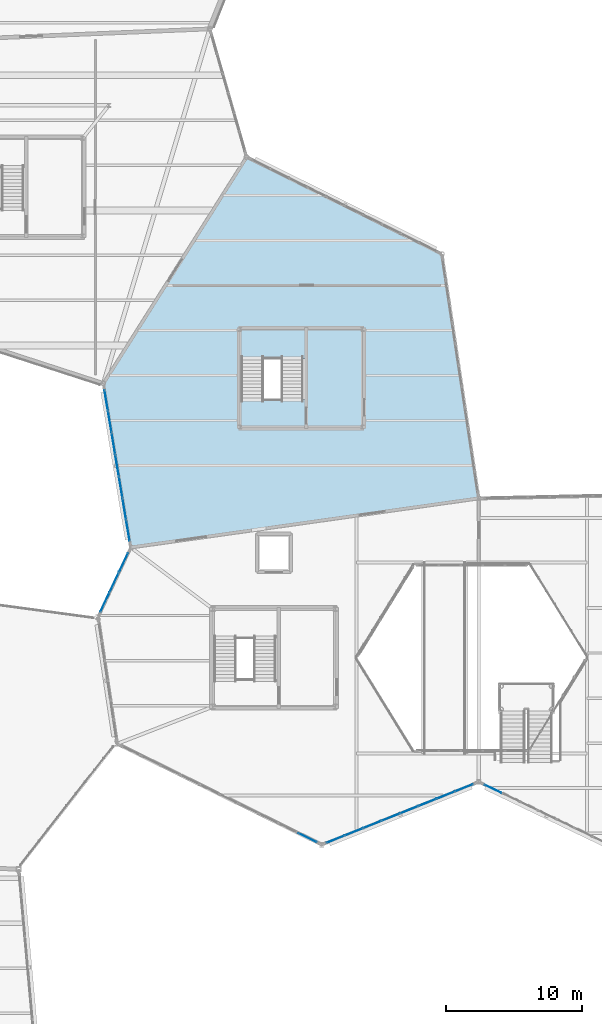
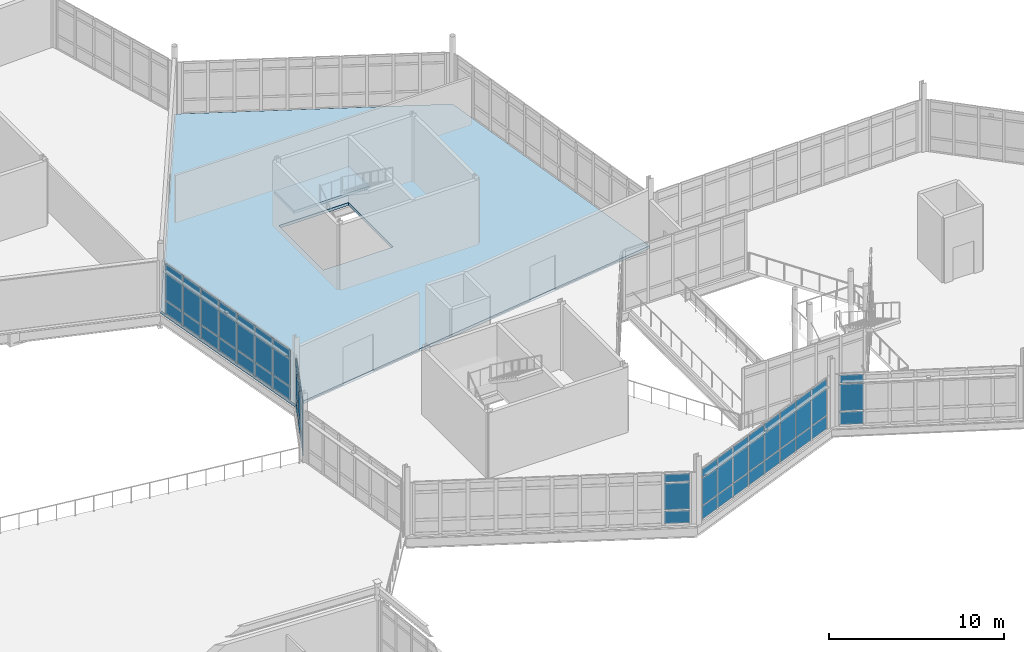
# One storey, part 70 of 114: 60 plates, 2 slabs, 6 elements without a shape of their own.
"""IFC4 building model written with IfcOpenShell, lengths in metres."""

from ifc_helpers import new_model, si_unit, direction, frame, origin, origin_2d, place, context, subcontext, project, spatial, polyline, rectangle, outline, extrude, material, layer, layer_set, type_object, element, aggregate, save


model = new_model("IFC4")

# Units and contexts
model_context = context("Model", 3, precision=1e-05, world=origin(), true_north=direction((0.0, 1.0)))
body_context = subcontext(model_context, "Body", "Model", "MODEL_VIEW")
ifc_project = project(units=[si_unit("LENGTHUNIT", "METRE"), si_unit("AREAUNIT", "SQUARE_METRE"), si_unit("VOLUMEUNIT", "CUBIC_METRE"), si_unit("PLANEANGLEUNIT", "RADIAN"), si_unit("MASSUNIT", "GRAM", prefix="KILO")], contexts=[model_context])

# Site, building, storey
site_placement = place(None, origin())
site = spatial("IfcSite", under=ifc_project, at=site_placement, CompositionType="ELEMENT")
building_placement = place(site_placement, origin())
building = spatial("IfcBuilding", under=site, at=building_placement, Name="Tameran Prism Museum", CompositionType="ELEMENT")
storey_placement = place(building_placement, frame((0.0, 0.0, 10.199951171875)))
storey = spatial("IfcBuildingStorey", under=building, at=storey_placement, Name="L02", CompositionType="ELEMENT", Elevation=10.199951171875)

# Curtain wall, plates
ifc_material_1 = material(Name="Anodised Aluminium 6063-T6 and Cyclone Solar Glass", Category="aluminium")
curtain_wall_type_1 = type_object("IfcCurtainWallType", Name="CW-FAC-1163x362", PredefinedType="USERDEFINED", material=ifc_material_1)
curtain_wall_1_placement = place(storey_placement, origin())
curtain_wall_1 = element("IfcCurtainWall", 1, at=curtain_wall_1_placement, inside=storey, type_object=curtain_wall_type_1, Name="Unitised Curtain Wall CW-107", ObjectType="UNITISED CURTAIN WALL", PredefinedType="USERDEFINED")
ifc_material_2 = material(Name="Low-E Laminated Solar Glass", Category="glass")
ifc_layer_1 = layer(ifc_material_2, 0.028076171875)
ifc_layer_set_1 = layer_set([ifc_layer_1])
plate_type_1 = type_object("IfcPlateType", Name="CW-PNL-G28", PredefinedType="CURTAIN_PANEL", material=ifc_layer_set_1)
plate_1_placement = place(storey_placement, frame((76.42919921875, 26.97216796875, 0.06494140625), z_axis=(0.0, 0.0, 1.0), x_axis=(-0.928464826032, -0.371420337114, 0.0)))
plate_1 = element("IfcPlate", 2, at=plate_1_placement, type_object=plate_type_1, Name="CW-107 panel 1.1", PredefinedType="CURTAIN_PANEL", context=body_context, shape_type="SweptSolid", body=[
    extrude(rectangle(XDim=1.355712890625, YDim=0.028076171875, at=origin_2d()), origin(), (0.0, 0.0, 1.0), 0.902587890625),
])
plate_2_placement = place(storey_placement, frame((76.42919921875, 26.97216796875, 1.032470703125), z_axis=(0.0, 0.0, 1.0), x_axis=(-0.928464826032, -0.371420337114, 0.0)))
plate_2 = element("IfcPlate", 3, at=plate_2_placement, type_object=plate_type_1, Name="CW-107 panel 1.2", PredefinedType="CURTAIN_PANEL", context=body_context, shape_type="SweptSolid", body=[
    extrude(rectangle(XDim=1.355712890625, YDim=0.028076171875, at=origin_2d()), origin(), (0.0, 0.0, 1.0), 1.875),
])
plate_3_placement = place(storey_placement, frame((76.42919921875, 26.97216796875, 2.97265625), z_axis=(0.0, 0.0, 1.0), x_axis=(-0.928464826032, -0.371420337114, 0.0)))
plate_3 = element("IfcPlate", 4, at=plate_3_placement, type_object=plate_type_1, Name="CW-107 panel 1.3", PredefinedType="CURTAIN_PANEL", context=body_context, shape_type="SweptSolid", body=[
    extrude(rectangle(XDim=1.355712890625, YDim=0.028076171875, at=origin_2d()), origin(), (0.0, 0.0, 1.0), 0.58251953125),
])
plate_4_placement = place(storey_placement, frame((75.09521484375, 26.4384765625, 0.06494140625), z_axis=(0.0, 0.0, 1.0), x_axis=(-0.928464826032, -0.371420337114, 0.0)))
plate_4 = element("IfcPlate", 5, at=plate_4_placement, type_object=plate_type_1, Name="CW-107 panel 2.1", PredefinedType="CURTAIN_PANEL", context=body_context, shape_type="SweptSolid", body=[
    extrude(rectangle(XDim=1.38818359375, YDim=0.028076171875, at=origin_2d()), origin(), (0.0, 0.0, 1.0), 0.902587890625),
])
plate_5_placement = place(storey_placement, frame((75.09521484375, 26.4384765625, 1.032470703125), z_axis=(0.0, 0.0, 1.0), x_axis=(-0.928464826032, -0.371420337114, 0.0)))
plate_5 = element("IfcPlate", 6, at=plate_5_placement, type_object=plate_type_1, Name="CW-107 panel 2.2", PredefinedType="CURTAIN_PANEL", context=body_context, shape_type="SweptSolid", body=[
    extrude(rectangle(XDim=1.38818359375, YDim=0.028076171875, at=origin_2d()), origin(), (0.0, 0.0, 1.0), 1.875),
])
plate_6_placement = place(storey_placement, frame((75.09521484375, 26.4384765625, 2.97265625), z_axis=(0.0, 0.0, 1.0), x_axis=(-0.928464826032, -0.371420337114, 0.0)))
plate_6 = element("IfcPlate", 7, at=plate_6_placement, type_object=plate_type_1, Name="CW-107 panel 2.3", PredefinedType="CURTAIN_PANEL", context=body_context, shape_type="SweptSolid", body=[
    extrude(rectangle(XDim=1.38818359375, YDim=0.028076171875, at=origin_2d()), origin(), (0.0, 0.0, 1.0), 0.58251953125),
])
plate_7_placement = place(storey_placement, frame((73.745849609375, 25.898681640625, 0.06494140625), z_axis=(0.0, 0.0, 1.0), x_axis=(-0.928464826032, -0.371420337114, 0.0)))
plate_7 = element("IfcPlate", 8, at=plate_7_placement, type_object=plate_type_1, Name="CW-107 panel 3.1", PredefinedType="CURTAIN_PANEL", context=body_context, shape_type="SweptSolid", body=[
    extrude(rectangle(XDim=1.38818359375, YDim=0.028076171875, at=origin_2d()), origin(), (0.0, 0.0, 1.0), 0.902587890625),
])
plate_8_placement = place(storey_placement, frame((73.745849609375, 25.898681640625, 1.032470703125), z_axis=(0.0, 0.0, 1.0), x_axis=(-0.928464826032, -0.371420337114, 0.0)))
plate_8 = element("IfcPlate", 9, at=plate_8_placement, type_object=plate_type_1, Name="CW-107 panel 3.2", PredefinedType="CURTAIN_PANEL", context=body_context, shape_type="SweptSolid", body=[
    extrude(rectangle(XDim=1.38818359375, YDim=0.028076171875, at=origin_2d()), origin(), (0.0, 0.0, 1.0), 1.875),
])
plate_9_placement = place(storey_placement, frame((73.745849609375, 25.898681640625, 2.97265625), z_axis=(0.0, 0.0, 1.0), x_axis=(-0.928464826032, -0.371420337114, 0.0)))
plate_9 = element("IfcPlate", 10, at=plate_9_placement, type_object=plate_type_1, Name="CW-107 panel 3.3", PredefinedType="CURTAIN_PANEL", context=body_context, shape_type="SweptSolid", body=[
    extrude(rectangle(XDim=1.38818359375, YDim=0.028076171875, at=origin_2d()), origin(), (0.0, 0.0, 1.0), 0.58251953125),
])
plate_10_placement = place(storey_placement, frame((72.396728515625, 25.35888671875, 0.06494140625), z_axis=(0.0, 0.0, 1.0), x_axis=(-0.928464826032, -0.371420337114, 0.0)))
plate_10 = element("IfcPlate", 11, at=plate_10_placement, type_object=plate_type_1, Name="CW-107 panel 4.1", PredefinedType="CURTAIN_PANEL", context=body_context, shape_type="SweptSolid", body=[
    extrude(rectangle(XDim=1.38818359375, YDim=0.028076171875, at=origin_2d()), origin(), (0.0, 0.0, 1.0), 0.902587890625),
])
plate_11_placement = place(storey_placement, frame((72.396728515625, 25.35888671875, 1.032470703125), z_axis=(0.0, 0.0, 1.0), x_axis=(-0.928464826032, -0.371420337114, 0.0)))
plate_11 = element("IfcPlate", 12, at=plate_11_placement, type_object=plate_type_1, Name="CW-107 panel 4.2", PredefinedType="CURTAIN_PANEL", context=body_context, shape_type="SweptSolid", body=[
    extrude(rectangle(XDim=1.38818359375, YDim=0.028076171875, at=origin_2d()), origin(), (0.0, 0.0, 1.0), 1.875),
])
plate_12_placement = place(storey_placement, frame((72.396728515625, 25.35888671875, 2.97265625), z_axis=(0.0, 0.0, 1.0), x_axis=(-0.928464826032, -0.371420337114, 0.0)))
plate_12 = element("IfcPlate", 13, at=plate_12_placement, type_object=plate_type_1, Name="CW-107 panel 4.3", PredefinedType="CURTAIN_PANEL", context=body_context, shape_type="SweptSolid", body=[
    extrude(rectangle(XDim=1.38818359375, YDim=0.028076171875, at=origin_2d()), origin(), (0.0, 0.0, 1.0), 0.58251953125),
])
plate_13_placement = place(storey_placement, frame((71.04736328125, 24.819091796875, 0.06494140625), z_axis=(0.0, 0.0, 1.0), x_axis=(-0.928464826032, -0.371420337114, 0.0)))
plate_13 = element("IfcPlate", 14, at=plate_13_placement, type_object=plate_type_1, Name="CW-107 panel 5.1", PredefinedType="CURTAIN_PANEL", context=body_context, shape_type="SweptSolid", body=[
    extrude(rectangle(XDim=1.38818359375, YDim=0.028076171875, at=origin_2d()), origin(), (0.0, 0.0, 1.0), 0.902587890625),
])
plate_14_placement = place(storey_placement, frame((71.04736328125, 24.819091796875, 1.032470703125), z_axis=(0.0, 0.0, 1.0), x_axis=(-0.928464826032, -0.371420337114, 0.0)))
plate_14 = element("IfcPlate", 15, at=plate_14_placement, type_object=plate_type_1, Name="CW-107 panel 5.2", PredefinedType="CURTAIN_PANEL", context=body_context, shape_type="SweptSolid", body=[
    extrude(rectangle(XDim=1.38818359375, YDim=0.028076171875, at=origin_2d()), origin(), (0.0, 0.0, 1.0), 1.875),
])
plate_15_placement = place(storey_placement, frame((71.04736328125, 24.819091796875, 2.97265625), z_axis=(0.0, 0.0, 1.0), x_axis=(-0.928464826032, -0.371420337114, 0.0)))
plate_15 = element("IfcPlate", 16, at=plate_15_placement, type_object=plate_type_1, Name="CW-107 panel 5.3", PredefinedType="CURTAIN_PANEL", context=body_context, shape_type="SweptSolid", body=[
    extrude(rectangle(XDim=1.38818359375, YDim=0.028076171875, at=origin_2d()), origin(), (0.0, 0.0, 1.0), 0.58251953125),
])
plate_16_placement = place(storey_placement, frame((69.6982421875, 24.279296875, 0.06494140625), z_axis=(0.0, 0.0, 1.0), x_axis=(-0.928464826032, -0.371420337114, 0.0)))
plate_16 = element("IfcPlate", 17, at=plate_16_placement, type_object=plate_type_1, Name="CW-107 panel 6.1", PredefinedType="CURTAIN_PANEL", context=body_context, shape_type="SweptSolid", body=[
    extrude(rectangle(XDim=1.38818359375, YDim=0.028076171875, at=origin_2d()), origin(), (0.0, 0.0, 1.0), 0.902587890625),
])
plate_17_placement = place(storey_placement, frame((69.6982421875, 24.279296875, 1.032470703125), z_axis=(0.0, 0.0, 1.0), x_axis=(-0.928464826032, -0.371420337114, 0.0)))
plate_17 = element("IfcPlate", 18, at=plate_17_placement, type_object=plate_type_1, Name="CW-107 panel 6.2", PredefinedType="CURTAIN_PANEL", context=body_context, shape_type="SweptSolid", body=[
    extrude(rectangle(XDim=1.38818359375, YDim=0.028076171875, at=origin_2d()), origin(), (0.0, 0.0, 1.0), 1.875),
])
plate_18_placement = place(storey_placement, frame((69.6982421875, 24.279296875, 2.97265625), z_axis=(0.0, 0.0, 1.0), x_axis=(-0.928464826032, -0.371420337114, 0.0)))
plate_18 = element("IfcPlate", 19, at=plate_18_placement, type_object=plate_type_1, Name="CW-107 panel 6.3", PredefinedType="CURTAIN_PANEL", context=body_context, shape_type="SweptSolid", body=[
    extrude(rectangle(XDim=1.38818359375, YDim=0.028076171875, at=origin_2d()), origin(), (0.0, 0.0, 1.0), 0.58251953125),
])
plate_19_placement = place(storey_placement, frame((68.348876953125, 23.73974609375, 0.06494140625), z_axis=(0.0, 0.0, 1.0), x_axis=(-0.928464826032, -0.371420337114, 0.0)))
plate_19 = element("IfcPlate", 20, at=plate_19_placement, type_object=plate_type_1, Name="CW-107 panel 7.1", PredefinedType="CURTAIN_PANEL", context=body_context, shape_type="SweptSolid", body=[
    extrude(rectangle(XDim=1.38818359375, YDim=0.028076171875, at=origin_2d()), origin(), (0.0, 0.0, 1.0), 0.902587890625),
])
plate_20_placement = place(storey_placement, frame((68.348876953125, 23.73974609375, 1.032470703125), z_axis=(0.0, 0.0, 1.0), x_axis=(-0.928464826032, -0.371420337114, 0.0)))
plate_20 = element("IfcPlate", 21, at=plate_20_placement, type_object=plate_type_1, Name="CW-107 panel 7.2", PredefinedType="CURTAIN_PANEL", context=body_context, shape_type="SweptSolid", body=[
    extrude(rectangle(XDim=1.38818359375, YDim=0.028076171875, at=origin_2d()), origin(), (0.0, 0.0, 1.0), 1.875),
])
plate_21_placement = place(storey_placement, frame((68.348876953125, 23.73974609375, 2.97265625), z_axis=(0.0, 0.0, 1.0), x_axis=(-0.928464826032, -0.371420337114, 0.0)))
plate_21 = element("IfcPlate", 22, at=plate_21_placement, type_object=plate_type_1, Name="CW-107 panel 7.3", PredefinedType="CURTAIN_PANEL", context=body_context, shape_type="SweptSolid", body=[
    extrude(rectangle(XDim=1.38818359375, YDim=0.028076171875, at=origin_2d()), origin(), (0.0, 0.0, 1.0), 0.58251953125),
])
plate_22_placement = place(storey_placement, frame((67.0146484375, 23.205810546875, 0.06494140625), z_axis=(0.0, 0.0, 1.0), x_axis=(-0.928464826032, -0.371420337114, 0.0)))
plate_22 = element("IfcPlate", 23, at=plate_22_placement, type_object=plate_type_1, Name="CW-107 panel 8.1", PredefinedType="CURTAIN_PANEL", context=body_context, shape_type="SweptSolid", body=[
    extrude(rectangle(XDim=1.355712890625, YDim=0.028076171875, at=origin_2d()), origin(), (0.0, 0.0, 1.0), 0.902587890625),
])
plate_23_placement = place(storey_placement, frame((67.0146484375, 23.205810546875, 1.032470703125), z_axis=(0.0, 0.0, 1.0), x_axis=(-0.928464826032, -0.371420337114, 0.0)))
plate_23 = element("IfcPlate", 24, at=plate_23_placement, type_object=plate_type_1, Name="CW-107 panel 8.2", PredefinedType="CURTAIN_PANEL", context=body_context, shape_type="SweptSolid", body=[
    extrude(rectangle(XDim=1.355712890625, YDim=0.028076171875, at=origin_2d()), origin(), (0.0, 0.0, 1.0), 1.875),
])
plate_24_placement = place(storey_placement, frame((67.0146484375, 23.205810546875, 2.97265625), z_axis=(0.0, 0.0, 1.0), x_axis=(-0.928464826032, -0.371420337114, 0.0)))
plate_24 = element("IfcPlate", 25, at=plate_24_placement, type_object=plate_type_1, Name="CW-107 panel 8.3", PredefinedType="CURTAIN_PANEL", context=body_context, shape_type="SweptSolid", body=[
    extrude(rectangle(XDim=1.355712890625, YDim=0.028076171875, at=origin_2d()), origin(), (0.0, 0.0, 1.0), 0.58251953125),
])
aggregate(curtain_wall_1, [plate_1, plate_2, plate_3, plate_4, plate_5, plate_6, plate_7, plate_8, plate_9, plate_10, plate_11, plate_12, plate_13, plate_14, plate_15, plate_16, plate_17, plate_18, plate_19, plate_20, plate_21, plate_22, plate_23, plate_24])

ifc_material_3 = material(Name="Anodised Aluminium 6063-T6 and Cyclone Solar Glass", Category="aluminium")
curtain_wall_type_2 = type_object("IfcCurtainWallType", Name="CW-FAC-1603x362", PredefinedType="USERDEFINED", material=ifc_material_3)
curtain_wall_2_placement = place(storey_placement, origin())
curtain_wall_2 = element("IfcCurtainWall", 26, at=curtain_wall_2_placement, inside=storey, type_object=curtain_wall_type_2, Name="Unitised Curtain Wall CW-106", ObjectType="UNITISED CURTAIN WALL", PredefinedType="USERDEFINED")
ifc_material_4 = material(Name="Cyclone Laminated Solar Glass", Category="glass")
ifc_layer_2 = layer(ifc_material_4, 0.031982421875)
ifc_layer_set_2 = layer_set([ifc_layer_2])
plate_type_2 = type_object("IfcPlateType", Name="CW-PNL-G32", PredefinedType="CURTAIN_PANEL", material=ifc_layer_set_2)
plate_25_placement = place(storey_placement, frame((64.949462890625, 23.318359375, 0.080078125), z_axis=(0.0, 0.0, 1.0), x_axis=(-0.896810506275, 0.44241486846, 0.0)))
plate_25 = element("IfcPlate", 27, at=plate_25_placement, type_object=plate_type_2, Name="CW-106 panel 1.1", PredefinedType="CURTAIN_PANEL", context=body_context, shape_type="SweptSolid", body=[
    extrude(rectangle(XDim=1.482666015625, YDim=0.031982421875, at=origin_2d()), origin(), (0.0, 0.0, 1.0), 0.8798828125),
])
plate_26_placement = place(storey_placement, frame((64.949462890625, 23.318359375, 1.0400390625), z_axis=(0.0, 0.0, 1.0), x_axis=(-0.896810506275, 0.44241486846, 0.0)))
plate_26 = element("IfcPlate", 28, at=plate_26_placement, type_object=plate_type_2, Name="CW-106 panel 1.2", PredefinedType="CURTAIN_PANEL", context=body_context, shape_type="SweptSolid", body=[
    extrude(rectangle(XDim=1.482666015625, YDim=0.031982421875, at=origin_2d()), origin(), (0.0, 0.0, 1.0), 1.860107421875),
])
plate_27_placement = place(storey_placement, frame((64.949462890625, 23.318359375, 2.97998046875), z_axis=(0.0, 0.0, 1.0), x_axis=(-0.896810506275, 0.44241486846, 0.0)))
plate_27 = element("IfcPlate", 29, at=plate_27_placement, type_object=plate_type_2, Name="CW-106 panel 1.3", PredefinedType="CURTAIN_PANEL", context=body_context, shape_type="SweptSolid", body=[
    extrude(rectangle(XDim=1.482666015625, YDim=0.031982421875, at=origin_2d()), origin(), (0.0, 0.0, 1.0), 0.56005859375),
])
aggregate(curtain_wall_2, [plate_25, plate_26, plate_27])

ifc_material_5 = material(Name="Anodised Aluminium 6063-T6 and Cyclone Solar Glass", Category="aluminium")
curtain_wall_type_3 = type_object("IfcCurtainWallType", Name="CW-FAC-488x362", PredefinedType="USERDEFINED", material=ifc_material_5)
curtain_wall_3_placement = place(storey_placement, origin())
curtain_wall_3 = element("IfcCurtainWall", 30, at=curtain_wall_3_placement, inside=storey, type_object=curtain_wall_type_3, Name="Unitised Curtain Wall CW-108", ObjectType="UNITISED CURTAIN WALL", PredefinedType="USERDEFINED")
plate_28_placement = place(storey_placement, frame((50.1025390625, 40.568115234375, 0.070068359375), z_axis=(0.0, 0.0, 1.0), x_axis=(0.425757529364, 0.904837292661, 0.0)))
plate_28 = element("IfcPlate", 31, at=plate_28_placement, type_object=plate_type_2, Name="CW-108 panel 1.1", PredefinedType="CURTAIN_PANEL", context=body_context, shape_type="SweptSolid", body=[
    extrude(rectangle(XDim=1.520263671875, YDim=0.031982421875, at=origin_2d()), origin(), (0.0, 0.0, 1.0), 0.89501953125),
])
plate_29_placement = place(storey_placement, frame((50.1025390625, 40.568115234375, 1.034912109375), z_axis=(0.0, 0.0, 1.0), x_axis=(0.425757529364, 0.904837292661, 0.0)))
plate_29 = element("IfcPlate", 32, at=plate_29_placement, type_object=plate_type_2, Name="CW-108 panel 1.2", PredefinedType="CURTAIN_PANEL", context=body_context, shape_type="SweptSolid", body=[
    extrude(rectangle(XDim=1.520263671875, YDim=0.031982421875, at=origin_2d()), origin(), (0.0, 0.0, 1.0), 1.8701171875),
])
plate_30_placement = place(storey_placement, frame((50.1025390625, 40.568115234375, 2.97509765625), z_axis=(0.0, 0.0, 1.0), x_axis=(0.425757529364, 0.904837292661, 0.0)))
plate_30 = element("IfcPlate", 33, at=plate_30_placement, type_object=plate_type_2, Name="CW-108 panel 1.3", PredefinedType="CURTAIN_PANEL", context=body_context, shape_type="SweptSolid", body=[
    extrude(rectangle(XDim=1.520263671875, YDim=0.031982421875, at=origin_2d()), origin(), (0.0, 0.0, 1.0), 0.574951171875),
])
plate_31_placement = place(storey_placement, frame((50.787109375, 42.02294921875, 0.070068359375), z_axis=(0.0, 0.0, 1.0), x_axis=(0.425757529364, 0.904837292661, 0.0)))
plate_31 = element("IfcPlate", 34, at=plate_31_placement, type_object=plate_type_2, Name="CW-108 panel 2.1", PredefinedType="CURTAIN_PANEL", context=body_context, shape_type="SweptSolid", body=[
    extrude(rectangle(XDim=1.555419921875, YDim=0.031982421875, at=origin_2d()), origin(), (0.0, 0.0, 1.0), 0.89501953125),
])
plate_32_placement = place(storey_placement, frame((50.787109375, 42.02294921875, 1.034912109375), z_axis=(0.0, 0.0, 1.0), x_axis=(0.425757529364, 0.904837292661, 0.0)))
plate_32 = element("IfcPlate", 35, at=plate_32_placement, type_object=plate_type_2, Name="CW-108 panel 2.2", PredefinedType="CURTAIN_PANEL", context=body_context, shape_type="SweptSolid", body=[
    extrude(rectangle(XDim=1.555419921875, YDim=0.031982421875, at=origin_2d()), origin(), (0.0, 0.0, 1.0), 1.8701171875),
])
plate_33_placement = place(storey_placement, frame((50.787109375, 42.02294921875, 2.97509765625), z_axis=(0.0, 0.0, 1.0), x_axis=(0.425757529364, 0.904837292661, 0.0)))
plate_33 = element("IfcPlate", 36, at=plate_33_placement, type_object=plate_type_2, Name="CW-108 panel 2.3", PredefinedType="CURTAIN_PANEL", context=body_context, shape_type="SweptSolid", body=[
    extrude(rectangle(XDim=1.555419921875, YDim=0.031982421875, at=origin_2d()), origin(), (0.0, 0.0, 1.0), 0.574951171875),
])
plate_34_placement = place(storey_placement, frame((51.471435546875, 43.477783203125, 0.070068359375), z_axis=(0.0, 0.0, 1.0), x_axis=(0.425757529364, 0.904837292661, 0.0)))
plate_34 = element("IfcPlate", 37, at=plate_34_placement, type_object=plate_type_2, Name="CW-108 panel 3.1", PredefinedType="CURTAIN_PANEL", context=body_context, shape_type="SweptSolid", body=[
    extrude(rectangle(XDim=1.520263671875, YDim=0.031982421875, at=origin_2d()), origin(), (0.0, 0.0, 1.0), 0.89501953125),
])
plate_35_placement = place(storey_placement, frame((51.471435546875, 43.477783203125, 1.034912109375), z_axis=(0.0, 0.0, 1.0), x_axis=(0.425757529364, 0.904837292661, 0.0)))
plate_35 = element("IfcPlate", 38, at=plate_35_placement, type_object=plate_type_2, Name="CW-108 panel 3.2", PredefinedType="CURTAIN_PANEL", context=body_context, shape_type="SweptSolid", body=[
    extrude(rectangle(XDim=1.520263671875, YDim=0.031982421875, at=origin_2d()), origin(), (0.0, 0.0, 1.0), 1.8701171875),
])
plate_36_placement = place(storey_placement, frame((51.471435546875, 43.477783203125, 2.97509765625), z_axis=(0.0, 0.0, 1.0), x_axis=(0.425757529364, 0.904837292661, 0.0)))
plate_36 = element("IfcPlate", 39, at=plate_36_placement, type_object=plate_type_2, Name="CW-108 panel 3.3", PredefinedType="CURTAIN_PANEL", context=body_context, shape_type="SweptSolid", body=[
    extrude(rectangle(XDim=1.520263671875, YDim=0.031982421875, at=origin_2d()), origin(), (0.0, 0.0, 1.0), 0.574951171875),
])
aggregate(curtain_wall_3, [plate_28, plate_29, plate_30, plate_31, plate_32, plate_33, plate_34, plate_35, plate_36])

ifc_material_6 = material(Name="Anodised Aluminium 6063-T6 and Cyclone Solar Glass", Category="aluminium")
curtain_wall_type_4 = type_object("IfcCurtainWallType", Name="CW-FAC-1033x362", PredefinedType="USERDEFINED", material=ifc_material_6)
curtain_wall_4_placement = place(storey_placement, origin())
curtain_wall_4 = element("IfcCurtainWall", 40, at=curtain_wall_4_placement, inside=storey, type_object=curtain_wall_type_4, Name="Unitised Curtain Wall CW-109", ObjectType="UNITISED CURTAIN WALL", PredefinedType="USERDEFINED")
plate_37_placement = place(storey_placement, frame((78.55224609375, 26.8955078125, 0.0751953125), z_axis=(0.0, 0.0, 1.0), x_axis=(-0.901474721245, 0.432831753637, 0.0)))
plate_37 = element("IfcPlate", 41, at=plate_37_placement, type_object=plate_type_2, Name="CW-109 panel 7.1", PredefinedType="CURTAIN_PANEL", context=body_context, shape_type="SweptSolid", body=[
    extrude(rectangle(XDim=1.363525390625, YDim=0.031982421875, at=origin_2d()), origin(), (0.0, 0.0, 1.0), 0.887451171875),
])
plate_38_placement = place(storey_placement, frame((78.55224609375, 26.8955078125, 1.03759765625), z_axis=(0.0, 0.0, 1.0), x_axis=(-0.901474721245, 0.432831753637, 0.0)))
plate_38 = element("IfcPlate", 42, at=plate_38_placement, type_object=plate_type_2, Name="CW-109 panel 7.2", PredefinedType="CURTAIN_PANEL", context=body_context, shape_type="SweptSolid", body=[
    extrude(rectangle(XDim=1.363525390625, YDim=0.031982421875, at=origin_2d()), origin(), (0.0, 0.0, 1.0), 1.864990234375),
])
plate_39_placement = place(storey_placement, frame((78.55224609375, 26.8955078125, 2.9775390625), z_axis=(0.0, 0.0, 1.0), x_axis=(-0.901474721245, 0.432831753637, 0.0)))
plate_39 = element("IfcPlate", 43, at=plate_39_placement, type_object=plate_type_2, Name="CW-109 panel 7.3", PredefinedType="CURTAIN_PANEL", context=body_context, shape_type="SweptSolid", body=[
    extrude(rectangle(XDim=1.363525390625, YDim=0.031982421875, at=origin_2d()), origin(), (0.0, 0.0, 1.0), 0.5673828125),
])
aggregate(curtain_wall_4, [plate_37, plate_38, plate_39])

ifc_material_7 = material(Name="Anodised Aluminium 6063-T6 and Cyclone Solar Glass", Category="aluminium")
curtain_wall_type_5 = type_object("IfcCurtainWallType", Name="CW-FAC-1135x362", PredefinedType="USERDEFINED", material=ifc_material_7)
curtain_wall_5_placement = place(storey_placement, origin())
curtain_wall_5 = element("IfcCurtainWall", 44, at=curtain_wall_5_placement, inside=storey, type_object=curtain_wall_type_5, Name="Unitised Curtain Wall CW-113", ObjectType="UNITISED CURTAIN WALL", PredefinedType="USERDEFINED")
plate_40_placement = place(storey_placement, frame((51.7958984375, 45.822021484375, 0.0751953125), z_axis=(0.0, 0.0, 1.0), x_axis=(-0.164284648199, 0.986412973539, 0.0)))
plate_40 = element("IfcPlate", 45, at=plate_40_placement, type_object=plate_type_2, Name="CW-113 panel 1.1", PredefinedType="CURTAIN_PANEL", context=body_context, shape_type="SweptSolid", body=[
    extrude(rectangle(XDim=1.50830078125, YDim=0.031982421875, at=origin_2d()), origin(), (0.0, 0.0, 1.0), 0.887451171875),
])
plate_41_placement = place(storey_placement, frame((51.7958984375, 45.822021484375, 1.03759765625), z_axis=(0.0, 0.0, 1.0), x_axis=(-0.164284648199, 0.986412973539, 0.0)))
plate_41 = element("IfcPlate", 46, at=plate_41_placement, type_object=plate_type_2, Name="CW-113 panel 1.2", PredefinedType="CURTAIN_PANEL", context=body_context, shape_type="SweptSolid", body=[
    extrude(rectangle(XDim=1.50830078125, YDim=0.031982421875, at=origin_2d()), origin(), (0.0, 0.0, 1.0), 1.864990234375),
])
plate_42_placement = place(storey_placement, frame((51.7958984375, 45.822021484375, 2.9775390625), z_axis=(0.0, 0.0, 1.0), x_axis=(-0.164284648199, 0.986412973539, 0.0)))
plate_42 = element("IfcPlate", 47, at=plate_42_placement, type_object=plate_type_2, Name="CW-113 panel 1.3", PredefinedType="CURTAIN_PANEL", context=body_context, shape_type="SweptSolid", body=[
    extrude(rectangle(XDim=1.50830078125, YDim=0.031982421875, at=origin_2d()), origin(), (0.0, 0.0, 1.0), 0.5673828125),
])
plate_43_placement = place(storey_placement, frame((51.532470703125, 47.40234375, 0.0751953125), z_axis=(0.0, 0.0, 1.0), x_axis=(-0.164284648199, 0.986412973539, 0.0)))
plate_43 = element("IfcPlate", 48, at=plate_43_placement, type_object=plate_type_2, Name="CW-113 panel 2.1", PredefinedType="CURTAIN_PANEL", context=body_context, shape_type="SweptSolid", body=[
    extrude(rectangle(XDim=1.5458984375, YDim=0.031982421875, at=origin_2d()), origin(), (0.0, 0.0, 1.0), 0.887451171875),
])
plate_44_placement = place(storey_placement, frame((51.532470703125, 47.40234375, 1.03759765625), z_axis=(0.0, 0.0, 1.0), x_axis=(-0.164284648199, 0.986412973539, 0.0)))
plate_44 = element("IfcPlate", 49, at=plate_44_placement, type_object=plate_type_2, Name="CW-113 panel 2.2", PredefinedType="CURTAIN_PANEL", context=body_context, shape_type="SweptSolid", body=[
    extrude(rectangle(XDim=1.5458984375, YDim=0.031982421875, at=origin_2d()), origin(), (0.0, 0.0, 1.0), 1.864990234375),
])
plate_45_placement = place(storey_placement, frame((51.532470703125, 47.40234375, 2.9775390625), z_axis=(0.0, 0.0, 1.0), x_axis=(-0.164284648199, 0.986412973539, 0.0)))
plate_45 = element("IfcPlate", 50, at=plate_45_placement, type_object=plate_type_2, Name="CW-113 panel 2.3", PredefinedType="CURTAIN_PANEL", context=body_context, shape_type="SweptSolid", body=[
    extrude(rectangle(XDim=1.5458984375, YDim=0.031982421875, at=origin_2d()), origin(), (0.0, 0.0, 1.0), 0.5673828125),
])
plate_46_placement = place(storey_placement, frame((51.266357421875, 49.001220703125, 0.0751953125), z_axis=(0.0, 0.0, 1.0), x_axis=(-0.164284648199, 0.986412973539, 0.0)))
plate_46 = element("IfcPlate", 51, at=plate_46_placement, type_object=plate_type_2, Name="CW-113 panel 3.1", PredefinedType="CURTAIN_PANEL", context=body_context, shape_type="SweptSolid", body=[
    extrude(rectangle(XDim=1.5458984375, YDim=0.031982421875, at=origin_2d()), origin(), (0.0, 0.0, 1.0), 0.887451171875),
])
plate_47_placement = place(storey_placement, frame((51.266357421875, 49.001220703125, 1.03759765625), z_axis=(0.0, 0.0, 1.0), x_axis=(-0.164284648199, 0.986412973539, 0.0)))
plate_47 = element("IfcPlate", 52, at=plate_47_placement, type_object=plate_type_2, Name="CW-113 panel 3.2", PredefinedType="CURTAIN_PANEL", context=body_context, shape_type="SweptSolid", body=[
    extrude(rectangle(XDim=1.5458984375, YDim=0.031982421875, at=origin_2d()), origin(), (0.0, 0.0, 1.0), 1.864990234375),
])
plate_48_placement = place(storey_placement, frame((51.266357421875, 49.001220703125, 2.9775390625), z_axis=(0.0, 0.0, 1.0), x_axis=(-0.164284648199, 0.986412973539, 0.0)))
plate_48 = element("IfcPlate", 53, at=plate_48_placement, type_object=plate_type_2, Name="CW-113 panel 3.3", PredefinedType="CURTAIN_PANEL", context=body_context, shape_type="SweptSolid", body=[
    extrude(rectangle(XDim=1.5458984375, YDim=0.031982421875, at=origin_2d()), origin(), (0.0, 0.0, 1.0), 0.5673828125),
])
plate_49_placement = place(storey_placement, frame((51.0, 50.60009765625, 0.0751953125), z_axis=(0.0, 0.0, 1.0), x_axis=(-0.164284648199, 0.986412973539, 0.0)))
plate_49 = element("IfcPlate", 54, at=plate_49_placement, type_object=plate_type_2, Name="CW-113 panel 4.1", PredefinedType="CURTAIN_PANEL", context=body_context, shape_type="SweptSolid", body=[
    extrude(rectangle(XDim=1.5458984375, YDim=0.031982421875, at=origin_2d()), origin(), (0.0, 0.0, 1.0), 0.887451171875),
])
plate_50_placement = place(storey_placement, frame((51.0, 50.60009765625, 1.03759765625), z_axis=(0.0, 0.0, 1.0), x_axis=(-0.164284648199, 0.986412973539, 0.0)))
plate_50 = element("IfcPlate", 55, at=plate_50_placement, type_object=plate_type_2, Name="CW-113 panel 4.2", PredefinedType="CURTAIN_PANEL", context=body_context, shape_type="SweptSolid", body=[
    extrude(rectangle(XDim=1.5458984375, YDim=0.031982421875, at=origin_2d()), origin(), (0.0, 0.0, 1.0), 1.864990234375),
])
plate_51_placement = place(storey_placement, frame((51.0, 50.60009765625, 2.9775390625), z_axis=(0.0, 0.0, 1.0), x_axis=(-0.164284648199, 0.986412973539, 0.0)))
plate_51 = element("IfcPlate", 56, at=plate_51_placement, type_object=plate_type_2, Name="CW-113 panel 4.3", PredefinedType="CURTAIN_PANEL", context=body_context, shape_type="SweptSolid", body=[
    extrude(rectangle(XDim=1.5458984375, YDim=0.031982421875, at=origin_2d()), origin(), (0.0, 0.0, 1.0), 0.5673828125),
])
plate_52_placement = place(storey_placement, frame((50.733642578125, 52.198974609375, 0.0751953125), z_axis=(0.0, 0.0, 1.0), x_axis=(-0.164284648199, 0.986412973539, 0.0)))
plate_52 = element("IfcPlate", 57, at=plate_52_placement, type_object=plate_type_2, Name="CW-113 panel 5.1", PredefinedType="CURTAIN_PANEL", context=body_context, shape_type="SweptSolid", body=[
    extrude(rectangle(XDim=1.5458984375, YDim=0.031982421875, at=origin_2d()), origin(), (0.0, 0.0, 1.0), 0.887451171875),
])
plate_53_placement = place(storey_placement, frame((50.733642578125, 52.198974609375, 1.03759765625), z_axis=(0.0, 0.0, 1.0), x_axis=(-0.164284648199, 0.986412973539, 0.0)))
plate_53 = element("IfcPlate", 58, at=plate_53_placement, type_object=plate_type_2, Name="CW-113 panel 5.2", PredefinedType="CURTAIN_PANEL", context=body_context, shape_type="SweptSolid", body=[
    extrude(rectangle(XDim=1.5458984375, YDim=0.031982421875, at=origin_2d()), origin(), (0.0, 0.0, 1.0), 1.864990234375),
])
plate_54_placement = place(storey_placement, frame((50.733642578125, 52.198974609375, 2.9775390625), z_axis=(0.0, 0.0, 1.0), x_axis=(-0.164284648199, 0.986412973539, 0.0)))
plate_54 = element("IfcPlate", 59, at=plate_54_placement, type_object=plate_type_2, Name="CW-113 panel 5.3", PredefinedType="CURTAIN_PANEL", context=body_context, shape_type="SweptSolid", body=[
    extrude(rectangle(XDim=1.5458984375, YDim=0.031982421875, at=origin_2d()), origin(), (0.0, 0.0, 1.0), 0.5673828125),
])
plate_55_placement = place(storey_placement, frame((50.467529296875, 53.797607421875, 0.0751953125), z_axis=(0.0, 0.0, 1.0), x_axis=(-0.164284648199, 0.986412973539, 0.0)))
plate_55 = element("IfcPlate", 60, at=plate_55_placement, type_object=plate_type_2, Name="CW-113 panel 6.1", PredefinedType="CURTAIN_PANEL", context=body_context, shape_type="SweptSolid", body=[
    extrude(rectangle(XDim=1.5458984375, YDim=0.031982421875, at=origin_2d()), origin(), (0.0, 0.0, 1.0), 0.887451171875),
])
plate_56_placement = place(storey_placement, frame((50.467529296875, 53.797607421875, 1.03759765625), z_axis=(0.0, 0.0, 1.0), x_axis=(-0.164284648199, 0.986412973539, 0.0)))
plate_56 = element("IfcPlate", 61, at=plate_56_placement, type_object=plate_type_2, Name="CW-113 panel 6.2", PredefinedType="CURTAIN_PANEL", context=body_context, shape_type="SweptSolid", body=[
    extrude(rectangle(XDim=1.5458984375, YDim=0.031982421875, at=origin_2d()), origin(), (0.0, 0.0, 1.0), 1.864990234375),
])
plate_57_placement = place(storey_placement, frame((50.467529296875, 53.797607421875, 2.9775390625), z_axis=(0.0, 0.0, 1.0), x_axis=(-0.164284648199, 0.986412973539, 0.0)))
plate_57 = element("IfcPlate", 62, at=plate_57_placement, type_object=plate_type_2, Name="CW-113 panel 6.3", PredefinedType="CURTAIN_PANEL", context=body_context, shape_type="SweptSolid", body=[
    extrude(rectangle(XDim=1.5458984375, YDim=0.031982421875, at=origin_2d()), origin(), (0.0, 0.0, 1.0), 0.5673828125),
])
plate_58_placement = place(storey_placement, frame((50.2041015625, 55.378173828125, 0.0751953125), z_axis=(0.0, 0.0, 1.0), x_axis=(-0.164284648199, 0.986412973539, 0.0)))
plate_58 = element("IfcPlate", 63, at=plate_58_placement, type_object=plate_type_2, Name="CW-113 panel 7.1", PredefinedType="CURTAIN_PANEL", context=body_context, shape_type="SweptSolid", body=[
    extrude(rectangle(XDim=1.50830078125, YDim=0.031982421875, at=origin_2d()), origin(), (0.0, 0.0, 1.0), 0.887451171875),
])
plate_59_placement = place(storey_placement, frame((50.2041015625, 55.378173828125, 1.03759765625), z_axis=(0.0, 0.0, 1.0), x_axis=(-0.164284648199, 0.986412973539, 0.0)))
plate_59 = element("IfcPlate", 64, at=plate_59_placement, type_object=plate_type_2, Name="CW-113 panel 7.2", PredefinedType="CURTAIN_PANEL", context=body_context, shape_type="SweptSolid", body=[
    extrude(rectangle(XDim=1.50830078125, YDim=0.031982421875, at=origin_2d()), origin(), (0.0, 0.0, 1.0), 1.864990234375),
])
plate_60_placement = place(storey_placement, frame((50.2041015625, 55.378173828125, 2.9775390625), z_axis=(0.0, 0.0, 1.0), x_axis=(-0.164284648199, 0.986412973539, 0.0)))
plate_60 = element("IfcPlate", 65, at=plate_60_placement, type_object=plate_type_2, Name="CW-113 panel 7.3", PredefinedType="CURTAIN_PANEL", context=body_context, shape_type="SweptSolid", body=[
    extrude(rectangle(XDim=1.50830078125, YDim=0.031982421875, at=origin_2d()), origin(), (0.0, 0.0, 1.0), 0.5673828125),
])
aggregate(curtain_wall_5, [plate_40, plate_41, plate_42, plate_43, plate_44, plate_45, plate_46, plate_47, plate_48, plate_49, plate_50, plate_51, plate_52, plate_53, plate_54, plate_55, plate_56, plate_57, plate_58, plate_59, plate_60])

# Slab
ifc_material_8 = material(Name="Concrete N32 (32 MPa)", Category="concrete")
ifc_layer_3 = layer(ifc_material_8, 0.199951171875)
ifc_layer_set_3 = layer_set([ifc_layer_3])
slab_type_1 = type_object("IfcSlabType", Name="SL-FLR-200", PredefinedType="FLOOR", material=ifc_layer_set_3)
slab_1_placement = place(storey_placement, frame((0.0, 0.0, -0.199951171875)))
element("IfcSlab", 66, at=slab_1_placement, inside=storey, type_object=slab_type_1, Name="Floor Slab FS-P07-L02", PredefinedType="FLOOR", context=body_context, shape_type="SweptSolid", body=[
    extrude(outline(polyline([(60.5, 73.199951171875), (74.800048828125, 66.10009765625), (77.5, 48.199951171875), (52.0, 44.60009765625), (50.0, 56.60009765625), (60.5, 73.199951171875)]), holes=[polyline([(64.719970703125, 60.550048828125), (60.10009765625, 60.550048828125), (60.10009765625, 55.43994140625), (64.719970703125, 55.43994140625), (64.719970703125, 60.550048828125)])]), origin(), (0.0, 0.0, 1.0), 0.199951171875),
])

# Stair, slab
ifc_material_9 = material(Name="Concrete N40 (40 MPa)", Category="concrete")
stair_type = type_object("IfcStairType", Name="ST-CORE-48", PredefinedType="HALF_TURN_STAIR", material=ifc_material_9)
stair_placement = place(storey_placement, origin())
stair = element("IfcStair", 67, at=stair_placement, inside=storey, type_object=stair_type, Name="Fire-Isolated Stair ST-08-L02", PredefinedType="HALF_TURN_STAIR")
ifc_material_10 = material(Name="Concrete N40 (40 MPa)", Category="concrete")
ifc_layer_4 = layer(ifc_material_10, 0.18505859375)
ifc_layer_set_4 = layer_set([ifc_layer_4])
slab_type_2 = type_object("IfcSlabType", Name="SL-LND-185", PredefinedType="LANDING", material=ifc_layer_set_4)
slab_2_placement = place(storey_placement, frame((0.0, 0.0, 2.215087890625)))
slab_2 = element("IfcSlab", 68, at=slab_2_placement, type_object=slab_type_2, Name="ST-08-L02 landing 1", PredefinedType="LANDING", context=body_context, shape_type="SweptSolid", body=[
    extrude(outline(polyline([(59.8798828125, 58.4150390625), (64.8701171875, 58.4150390625), (64.8701171875, 60.719970703125), (59.8798828125, 60.719970703125), (59.8798828125, 58.4150390625)])), origin(), (0.0, 0.0, 1.0), 0.18505859375),
])
aggregate(stair, [slab_2])

save(model, "model.ifc")
